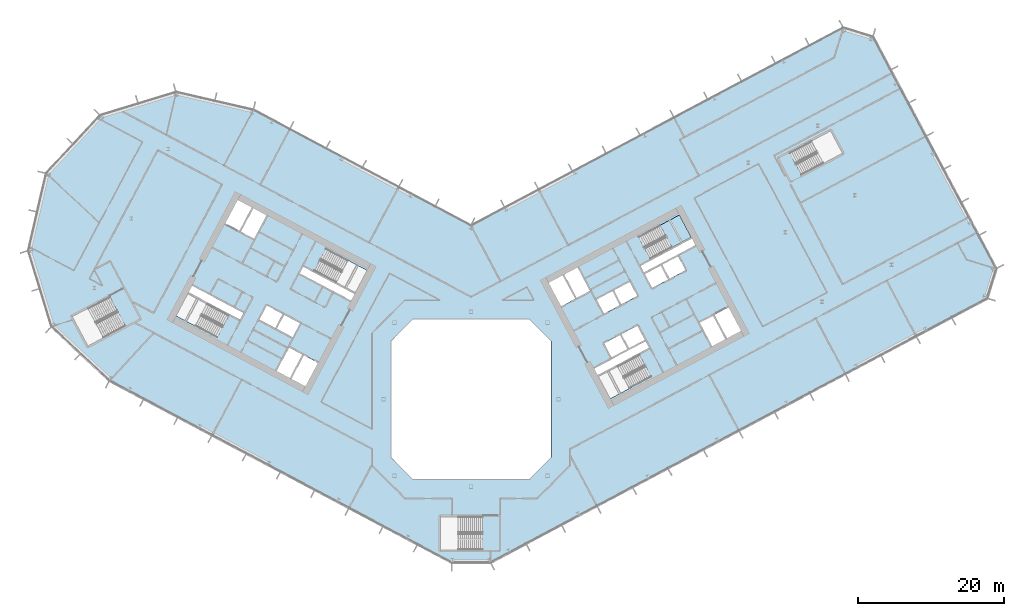
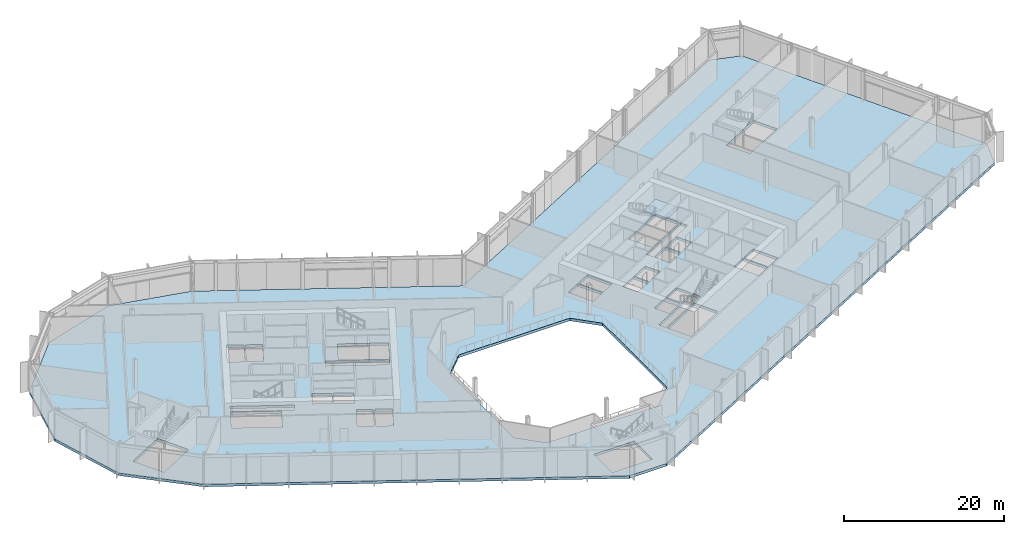
# One storey, part 12 of 32: 2 slabs, 1 element without a shape of its own.
"""IFC4 building model written with IfcOpenShell, lengths in metres."""

from ifc_helpers import new_model, si_unit, direction, frame, origin, place, context, subcontext, project, spatial, polyline, outline, extrude, material, layer, layer_set, type_object, element, aggregate, save


model = new_model("IFC4")

# Units and contexts
model_context = context("Model", 3, precision=1e-05, world=origin(), true_north=direction((0.0, 1.0)))
body_context = subcontext(model_context, "Body", "Model", "MODEL_VIEW")
ifc_project = project(units=[si_unit("LENGTHUNIT", "METRE"), si_unit("AREAUNIT", "SQUARE_METRE"), si_unit("VOLUMEUNIT", "CUBIC_METRE"), si_unit("PLANEANGLEUNIT", "RADIAN"), si_unit("MASSUNIT", "GRAM", prefix="KILO")], contexts=[model_context])

# Site, building, storey
site_placement = place(None, origin())
site = spatial("IfcSite", under=ifc_project, at=site_placement, CompositionType="ELEMENT")
building_placement = place(site_placement, origin())
building = spatial("IfcBuilding", under=site, at=building_placement, Name="Cormorant Relay Tower", CompositionType="ELEMENT")
storey_placement = place(building_placement, frame((0.0, 0.0, 66.199951171875)))
storey = spatial("IfcBuildingStorey", under=building, at=storey_placement, Name="L12", CompositionType="ELEMENT", Elevation=66.199951171875)

# Stair, slab
ifc_material_1 = material(Name="Concrete 40 MPa", Category="concrete")
stair_type = type_object("IfcStairType", Name="Exit stair 1500", PredefinedType="HALF_TURN_STAIR", material=ifc_material_1)
stair_placement = place(storey_placement, origin())
stair = element("IfcStair", 1, at=stair_placement, inside=storey, type_object=stair_type, Name="L12 Stair", PredefinedType="HALF_TURN_STAIR")
ifc_material_2 = material(Name="Concrete 40 MPa", Category="concrete")
ifc_layer_1 = layer(ifc_material_2, 0.199951171875)
ifc_layer_set_1 = layer_set([ifc_layer_1], Name="Exit stair landing 200")
slab_type_1 = type_object("IfcSlabType", Name="Exit stair landing 200", PredefinedType="LANDING", material=ifc_layer_set_1)
slab_1_placement = place(storey_placement, frame((0.0, 0.0, 2.10009765625)))
slab_1 = element("IfcSlab", 2, at=slab_1_placement, type_object=slab_type_1, Name="B2 landing 1", PredefinedType="LANDING", context=body_context, shape_type="SweptSolid", body=[
    extrude(outline(polyline([(27.558837890625, 20.82568359375), (30.19873046875, 22.2294921875), (28.5791015625, 25.275634765625), (25.93896484375, 23.871826171875), (27.558837890625, 20.82568359375)])), origin(), (0.0, 0.0, 1.0), 0.199951171875),
])
aggregate(stair, [slab_1])

# Slab
ifc_material_3 = material(Name="Concrete 40 MPa", Category="concrete")
ifc_layer_2 = layer(ifc_material_3, 0.39990234375)
ifc_layer_set_2 = layer_set([ifc_layer_2], Name="Flat plate 400")
slab_type_2 = type_object("IfcSlabType", Name="Flat plate 400", PredefinedType="FLOOR", material=ifc_layer_set_2)
slab_2_placement = place(storey_placement, frame((0.0, 0.0, -0.39990234375)))
element("IfcSlab", 3, at=slab_2_placement, inside=storey, type_object=slab_type_2, Name="Floor slab L12", PredefinedType="FLOOR", context=body_context, shape_type="SweptSolid", body=[
    extrude(outline(polyline([(-60.7197265625, 20.393310546875), (-58.2744140625, 30.985107421875), (-50.86083984375, 38.935302734375), (-40.465576171875, 42.11328125), (-29.873779296875, 39.668212890625), (0.0, 23.783935546875), (51.064453125, 50.935302734375), (55.12158203125, 49.695068359375), (72.022705078125, 17.908935546875), (70.7822265625, 13.8515625), (2.648681640625, -22.37548828125), (-2.648681640625, -22.37548828125), (-49.591552734375, 2.584228515625), (-57.541748046875, 9.997802734375), (-60.7197265625, 20.393310546875)]), holes=[polyline([(11.0, -8.0), (11.0, 8.0), (8.0, 11.0), (-8.0, 11.0), (-11.0, 8.0), (-11.0, -8.0), (-8.0, -11.0), (8.0, -11.0), (11.0, -8.0)]), polyline([(-4.199951171875, -16.125), (-4.199951171875, -20.675048828125), (1.60009765625, -20.675048828125), (1.60009765625, -16.125), (-4.199951171875, -16.125)]), polyline([(-22.95458984375, 6.03271484375), (-24.668212890625, 2.81005859375), (-22.725830078125, 1.777099609375), (-21.01220703125, 5.0), (-23.04296875, 6.07958984375), (-22.95458984375, 6.03271484375)]), polyline([(-24.985595703125, 7.112548828125), (-26.69921875, 3.889892578125), (-24.844970703125, 2.90380859375), (-23.13134765625, 6.126708984375), (-23.04296875, 6.07958984375), (-24.985595703125, 7.112548828125)]), polyline([(-26.688720703125, 9.660400390625), (-24.481201171875, 8.48681640625), (-23.448486328125, 10.42919921875), (-25.656005859375, 11.602783203125), (-26.688720703125, 9.660400390625)]), polyline([(-49.57861328125, 14.0537109375), (-54.69970703125, 11.330810546875), (-52.563720703125, 7.3134765625), (-47.442626953125, 10.036376953125), (-49.57861328125, 14.0537109375)]), polyline([(-28.039794921875, 12.870361328125), (-29.07275390625, 10.927978515625), (-26.865234375, 9.75439453125), (-25.83251953125, 11.69677734375), (-28.039794921875, 12.870361328125)]), polyline([(-38.847900390625, 14.483154296875), (-40.46728515625, 11.43701171875), (-34.860595703125, 8.455810546875), (-33.240966796875, 11.502197265625), (-38.847900390625, 14.483154296875)]), polyline([(-38.260986328125, 15.5869140625), (-38.75390625, 14.659912109375), (-31.690185546875, 10.904052734375), (-31.197265625, 11.8310546875), (-38.260986328125, 15.5869140625)]), polyline([(14.3056640625, 13.779052734375), (12.592041015625, 17.001708984375), (10.649658203125, 15.968994140625), (12.36328125, 12.74609375), (14.39404296875, 13.825927734375), (14.3056640625, 13.779052734375)]), polyline([(16.33642578125, 14.85888671875), (14.622802734375, 18.08154296875), (12.768798828125, 17.095703125), (14.482421875, 13.872802734375), (14.39404296875, 13.825927734375), (16.33642578125, 14.85888671875)]), polyline([(-16.481689453125, 13.520263671875), (-15.989013671875, 14.447509765625), (-23.052490234375, 18.203125), (-23.54541015625, 17.276123046875), (-16.481689453125, 13.520263671875)]), polyline([(-21.501708984375, 17.605224609375), (-15.89501953125, 14.6240234375), (-14.275390625, 17.670166015625), (-19.882080078125, 20.6513671875), (-21.501708984375, 17.605224609375)]), polyline([(-31.611572265625, 22.980712890625), (-29.75732421875, 21.99462890625), (-28.043701171875, 25.217529296875), (-29.89794921875, 26.203369140625), (-31.611572265625, 22.980712890625)]), polyline([(-33.73046875, 24.107421875), (-31.7880859375, 23.074462890625), (-30.074462890625, 26.29736328125), (-32.01708984375, 27.330078125), (-33.73046875, 24.107421875)]), polyline([(23.087158203125, 6.10302734375), (17.48046875, 3.1220703125), (19.10009765625, 0.07568359375), (24.706787109375, 3.056884765625), (23.087158203125, 6.10302734375)]), polyline([(16.8935546875, 4.2255859375), (17.386474609375, 3.298583984375), (24.4501953125, 7.054443359375), (23.957275390625, 7.9814453125), (16.8935546875, 4.2255859375)]), polyline([(20.446533203125, 8.8330078125), (18.239013671875, 7.6591796875), (19.27197265625, 5.716796875), (21.479248046875, 6.890380859375), (20.446533203125, 8.8330078125)]), polyline([(22.830322265625, 10.1005859375), (20.623046875, 8.927001953125), (21.656005859375, 6.984375), (23.86328125, 8.158203125), (22.830322265625, 10.1005859375)]), polyline([(33.197021484375, 11.478515625), (31.3427734375, 10.49267578125), (33.056396484375, 7.27001953125), (34.910400390625, 8.255859375), (33.197021484375, 11.478515625)]), polyline([(33.37353515625, 11.572509765625), (35.087158203125, 8.349609375), (37.029541015625, 9.382568359375), (35.31591796875, 12.605224609375), (33.37353515625, 11.572509765625)]), polyline([(19.401123046875, 14.84619140625), (17.19384765625, 13.67236328125), (18.2265625, 11.72998046875), (20.43408203125, 12.903564453125), (19.401123046875, 14.84619140625)]), polyline([(22.81787109375, 14.171142578125), (21.78515625, 16.113525390625), (19.57763671875, 14.93994140625), (20.610595703125, 12.99755859375), (22.81787109375, 14.171142578125)]), polyline([(26.023193359375, 18.3671875), (23.81591796875, 17.193359375), (24.8486328125, 15.2509765625), (27.05615234375, 16.424560546875), (26.023193359375, 18.3671875)]), polyline([(29.440185546875, 17.692138671875), (28.4072265625, 19.634765625), (26.19970703125, 18.4609375), (27.232666015625, 16.5185546875), (29.440185546875, 17.692138671875)]), polyline([(30.78564453125, 21.125732421875), (30.29248046875, 22.052978515625), (23.22900390625, 18.297119140625), (23.721923828125, 17.3701171875), (30.78564453125, 21.125732421875)]), polyline([(24.592041015625, 19.248291015625), (30.19873046875, 22.2294921875), (28.5791015625, 25.275634765625), (22.972412109375, 22.29443359375), (24.592041015625, 19.248291015625)]), polyline([(45.3349609375, 30.773681640625), (50.941650390625, 33.7548828125), (49.322021484375, 36.801025390625), (43.715087890625, 33.81982421875), (45.3349609375, 30.773681640625)])]), origin(), (0.0, 0.0, 1.0), 0.39990234375),
])

save(model, "model.ifc")
